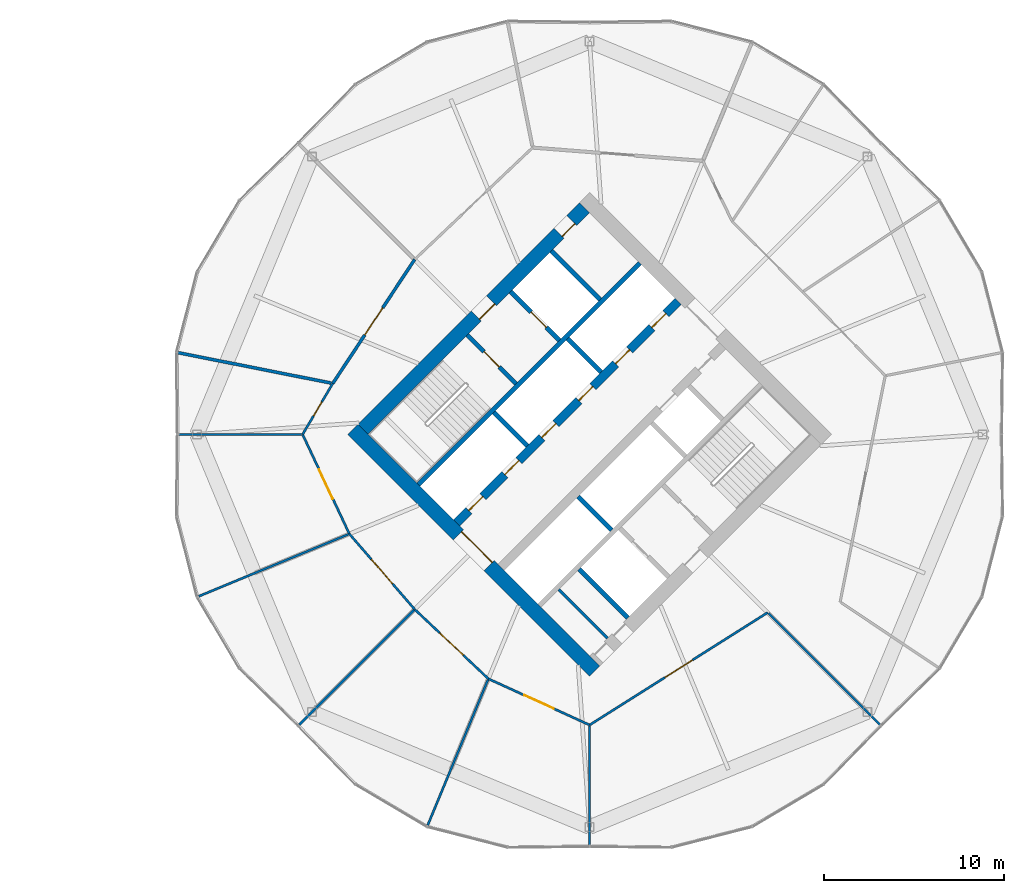
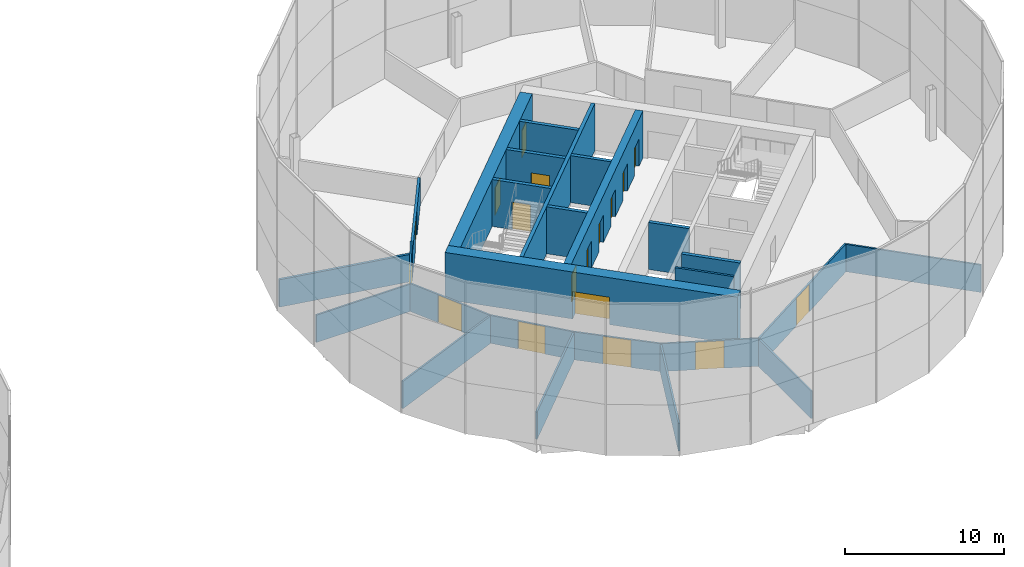
# One storey, part 22 of 25: 26 walls, 18 doors, 18 openings.
"""IFC4 building model written with IfcOpenShell, lengths in metres."""

from ifc_helpers import new_model, si_unit, direction, frame, frame_2d, origin, place, context, subcontext, project, spatial, rectangle, extrude, material, layer, layer_set, type_object, element, fill, save


model = new_model("IFC4")

# Units and contexts
model_context = context("Model", 3, precision=1e-05, world=origin(), true_north=direction((0.0, 1.0)))
body_context = subcontext(model_context, "Body", "Model", "MODEL_VIEW")
ifc_project = project(units=[si_unit("LENGTHUNIT", "METRE"), si_unit("AREAUNIT", "SQUARE_METRE"), si_unit("VOLUMEUNIT", "CUBIC_METRE"), si_unit("PLANEANGLEUNIT", "RADIAN"), si_unit("MASSUNIT", "GRAM", prefix="KILO")], contexts=[model_context])

# Site, building, storey
site_placement = place(None, origin())
site = spatial("IfcSite", under=ifc_project, at=site_placement, CompositionType="ELEMENT")
building_placement = place(site_placement, origin())
building = spatial("IfcBuilding", under=site, at=building_placement, Name="Ogive Gate Towers", CompositionType="ELEMENT")
storey_placement = place(building_placement, frame((0.0, 0.0, 44.10009765625)))
storey = spatial("IfcBuildingStorey", under=building, at=storey_placement, Name="L09", CompositionType="ELEMENT", Elevation=44.10009765625)

# Wall
ifc_material_1 = material(Name="Gypsum board acoustic partition")
ifc_layer_1 = layer(ifc_material_1, 0.175048828125)
ifc_layer_set_1 = layer_set([ifc_layer_1], Name="Acoustic partition 175")
wall_type_1 = type_object("IfcWallType", Name="Acoustic partition 175", PredefinedType="PARTITIONING", material=ifc_layer_set_1)
wall_1_placement = place(storey_placement, frame((13.146728515625, 4.5380859375, 0.0), z_axis=(0.0, 0.0, 1.0), x_axis=(0.980848307459, -0.194773195677, 0.0)))
element("IfcWall", 1, at=wall_1_placement, inside=storey, type_object=wall_type_1, Name="Partition T2-L09-007", PredefinedType="PARTITIONING", context=body_context, shape_type="SweptSolid", body=[
    extrude(rectangle(XDim=8.67138671875, YDim=0.175048828125, at=frame_2d((4.335693359375, 0.0))), origin(), (0.0, 0.0, 1.0), 2.099853515625),
])

# Wall, opening, door
wall_2_placement = place(storey_placement, frame((26.284423828125, 9.715576171875, 0.0), z_axis=(0.0, 0.0, 1.0), x_axis=(-0.551136963792, -0.834414793219, 0.0)))
wall_2 = element("IfcWall", 2, at=wall_2_placement, inside=storey, type_object=wall_type_1, Name="Partition T2-L09-021", PredefinedType="PARTITIONING", context=body_context, shape_type="SweptSolid", body=[
    extrude(rectangle(XDim=8.24951171875, YDim=0.175048828125, at=frame_2d((4.124755859375, 0.0))), origin(), (0.0, 0.0, 1.0), 2.139892578125),
])
opening_1_placement = place(wall_2_placement, frame((3.22509765625, 0.0, 0.0)))
opening_1 = element("IfcOpeningElement", 3, at=opening_1_placement, cuts=wall_2, Name="Opening T2-L09-D07", PredefinedType="OPENING", context=body_context, shape_type="SweptSolid", body=[
    extrude(rectangle(XDim=1.800048828125, YDim=2.10009765625, at=frame_2d((0.89990234375, 1.050048828125))), frame((0.0, 0.09765625, 0.0), z_axis=(0.0, -1.0, 0.0), x_axis=(1.0, 0.0, 0.0)), (0.0, 0.0, 1.0), 0.195068359375),
])
ifc_material_2 = material(Name="Timber door", Category="wood")
door_type_1 = type_object("IfcDoorType", Name="Door pair 1800", OperationType="NOTDEFINED", PredefinedType="DOOR", material=ifc_material_2)
door_1_placement = place(opening_1_placement, origin())
door_1 = element("IfcDoor", 4, at=door_1_placement, inside=storey, type_object=door_type_1, Name="Door T2-L09-D07", OperationType="DOUBLE_DOOR_DOUBLE_SWING", OverallHeight=2.10009765625, OverallWidth=1.800048828125, PredefinedType="DOOR", context=body_context, shape_type="SweptSolid", body=[
    extrude(rectangle(XDim=1.800048828125, YDim=2.10009765625, at=frame_2d((0.89990234375, 1.050048828125))), frame((0.0, 0.02490234375, 0.0), z_axis=(0.0, -1.0, 0.0), x_axis=(1.0, 0.0, 0.0)), (0.0, 0.0, 1.0), 0.050048828125),
])
fill(opening_1, door_1)

# Wall, openings, doors
ifc_material_3 = material(Name="Concrete C60/75", Category="concrete")
ifc_layer_2 = layer(ifc_material_3, 0.800048828125)
ifc_layer_set_2 = layer_set([ifc_layer_2], Name="Core wall 800 mm")
wall_type_2 = type_object("IfcWallType", Name="Core wall 800 mm", PredefinedType="SHEAR", material=ifc_layer_set_2)
wall_3_placement = place(storey_placement, frame((23.41357421875, 0.28271484375, 0.0), z_axis=(0.0, 0.0, 1.0), x_axis=(0.707106781187, 0.707106781187, 0.0)))
wall_3 = element("IfcWall", 5, at=wall_3_placement, inside=storey, type_object=wall_type_2, Name="T2 L09 Core wall 800 mm", PredefinedType="SHEAR", context=body_context, shape_type="SweptSolid", body=[
    extrude(rectangle(XDim=17.400146484375, YDim=0.800048828125, at=frame_2d((8.7001953125, 0.0))), origin(), (0.0, 0.0, 1.0), 3.599853515625),
])
opening_2_placement = place(wall_3_placement, frame((8.89990234375, 0.0, 0.0)))
opening_2 = element("IfcOpeningElement", 6, at=opening_2_placement, cuts=wall_3, Name="Opening KD-T2-L09-15", PredefinedType="OPENING", context=body_context, shape_type="SweptSolid", body=[
    extrude(rectangle(XDim=1.199951171875, YDim=2.10009765625, at=frame_2d((0.60009765625, 1.050048828125))), frame((0.0, 0.41015625, 0.0), z_axis=(0.0, -1.0, 0.0), x_axis=(1.0, 0.0, 0.0)), (0.0, 0.0, 1.0), 0.820068359375),
])
opening_3_placement = place(wall_3_placement, frame((15.39990234375, 0.0, 0.0)))
opening_3 = element("IfcOpeningElement", 7, at=opening_3_placement, cuts=wall_3, Name="Opening KD-T2-L09-17", PredefinedType="OPENING", context=body_context, shape_type="SweptSolid", body=[
    extrude(rectangle(XDim=1.0, YDim=2.10009765625, at=frame_2d((0.5, 1.050048828125))), frame((0.0, 0.41015625, 0.0), z_axis=(0.0, -1.0, 0.0), x_axis=(1.0, 0.0, 0.0)), (0.0, 0.0, 1.0), 0.820068359375),
])
door_type_2 = type_object("IfcDoorType", Name="Accessible WC door 1000 x 2100", OperationType="NOTDEFINED", PredefinedType="DOOR", material=ifc_material_2)
door_2_placement = place(opening_3_placement, origin())
door_2 = element("IfcDoor", 8, at=door_2_placement, inside=storey, type_object=door_type_2, Name="T2 L09 Core door", OperationType="SINGLE_SWING_RIGHT", OverallHeight=2.10009765625, OverallWidth=1.0, PredefinedType="DOOR", context=body_context, shape_type="SweptSolid", body=[
    extrude(rectangle(XDim=1.0, YDim=2.10009765625, at=frame_2d((0.5, 1.050048828125))), frame((0.0, -0.22509765625, 0.0), z_axis=(0.0, -1.0, 0.0), x_axis=(1.0, 0.0, 0.0)), (0.0, 0.0, 1.0), 0.050048828125),
])
fill(opening_3, door_2)
ifc_material_4 = material(Name="Steel fire door", Category="steel")
door_type_3 = type_object("IfcDoorType", Name="Core door FD60S 1200 x 2100", OperationType="NOTDEFINED", PredefinedType="DOOR", material=ifc_material_4)
door_3_placement = place(opening_2_placement, origin())
door_3 = element("IfcDoor", 9, at=door_3_placement, inside=storey, type_object=door_type_3, Name="T2 L09 Fire-fighting lobby door", OperationType="SINGLE_SWING_RIGHT", OverallHeight=2.10009765625, OverallWidth=1.199951171875, PredefinedType="DOOR", context=body_context, shape_type="SweptSolid", body=[
    extrude(rectangle(XDim=1.199951171875, YDim=2.10009765625, at=frame_2d((0.60009765625, 1.050048828125))), frame((0.0, -0.22509765625, 0.0), z_axis=(0.0, -1.0, 0.0), x_axis=(1.0, 0.0, 0.0)), (0.0, 0.0, 1.0), 0.050048828125),
])
fill(opening_2, door_3)

# Wall, opening, door
wall_4_placement = place(storey_placement, frame((36.28271484375, -13.152099609375, 0.0), z_axis=(0.0, 0.0, 1.0), x_axis=(-0.707106781187, 0.707106781187, 0.0)))
wall_4 = element("IfcWall", 10, at=wall_4_placement, inside=storey, type_object=wall_type_2, Name="T2 L09 Core wall 800 mm", PredefinedType="SHEAR", context=body_context, shape_type="SweptSolid", body=[
    extrude(rectangle(XDim=18.999755859375, YDim=0.800048828125, at=frame_2d((9.5, 0.0))), origin(), (0.0, 0.0, 1.0), 3.599853515625),
])
opening_4_placement = place(wall_4_placement, frame((8.300048828125, 0.0, 0.0)))
opening_4 = element("IfcOpeningElement", 11, at=opening_4_placement, cuts=wall_4, Name="Opening KD-T2-L09-01", PredefinedType="OPENING", context=body_context, shape_type="SweptSolid", body=[
    extrude(rectangle(XDim=2.39990234375, YDim=2.10009765625, at=frame_2d((1.199951171875, 1.050048828125))), frame((0.0, 0.41015625, 0.0), z_axis=(0.0, -1.0, 0.0), x_axis=(1.0, 0.0, 0.0)), (0.0, 0.0, 1.0), 0.820068359375),
])
door_type_4 = type_object("IfcDoorType", Name="Core double door FD60S 2400 x 2100", OperationType="DOUBLE_DOOR_SINGLE_SWING", PredefinedType="DOOR", material=ifc_material_4)
door_4_placement = place(opening_4_placement, origin())
door_4 = element("IfcDoor", 12, at=door_4_placement, inside=storey, type_object=door_type_4, Name="T2 L09 Core door double", OperationType="DOUBLE_DOOR_SINGLE_SWING", OverallHeight=2.10009765625, OverallWidth=2.39990234375, PredefinedType="DOOR", context=body_context, shape_type="SweptSolid", body=[
    extrude(rectangle(XDim=2.39990234375, YDim=2.10009765625, at=frame_2d((1.199951171875, 1.050048828125))), frame((0.0, -0.22509765625, 0.0), z_axis=(0.0, -1.0, 0.0), x_axis=(1.0, 0.0, 0.0)), (0.0, 0.0, 1.0), 0.050048828125),
])
fill(opening_4, door_4)

# Walls
ifc_material_5 = material(Name="Gypsum board partition")
ifc_layer_3 = layer(ifc_material_5, 0.125)
ifc_layer_set_3 = layer_set([ifc_layer_3], Name="Partition 125")
wall_type_3 = type_object("IfcWallType", Name="Partition 125", PredefinedType="PARTITIONING", material=ifc_layer_set_3)
wall_5_placement = place(storey_placement, frame((13.200927734375, 0.0, 0.0), z_axis=(0.0, 0.0, 1.0), x_axis=(1.0, 0.0, 0.0)))
element("IfcWall", 13, at=wall_5_placement, inside=storey, type_object=wall_type_3, Name="Partition T2-L09-008", PredefinedType="PARTITIONING", context=body_context, shape_type="SweptSolid", body=[
    extrude(rectangle(XDim=6.796630859375, YDim=0.125, at=frame_2d((3.3984375, 0.0))), origin(), (0.0, 0.0, 1.0), 2.099853515625),
])
for number, where, z_axis, x_axis, name in (
    (14, (14.288818359375, -8.992919921875, 0.0), (0.0, 0.0, 1.0), (0.923888174314, 0.382662568542, 0.0), "Partition T2-L09-009"),
    (15, (19.878662109375, -16.121337890625, 0.0), (0.0, 0.0, 1.0), (0.707106781187, 0.707106781187, 0.0), "Partition T2-L09-010"),
):
    element("IfcWall", number, at=place(storey_placement, frame(where, z_axis=z_axis, x_axis=x_axis)), inside=storey, type_object=wall_type_3, Name=name, PredefinedType="PARTITIONING", context=body_context, shape_type="SweptSolid", body=[
        extrude(rectangle(XDim=8.99658203125, YDim=0.125, at=frame_2d((4.498291015625, 0.0))), origin(), (0.0, 0.0, 1.0), 2.099853515625),
    ])
wall_6_placement = place(storey_placement, frame((27.007080078125, -21.711181640625, 0.0), z_axis=(0.0, 0.0, 1.0), x_axis=(0.382668172196, 0.923885853333, 0.0)))
element("IfcWall", 16, at=wall_6_placement, inside=storey, type_object=wall_type_3, Name="Partition T2-L09-011", PredefinedType="PARTITIONING", context=body_context, shape_type="SweptSolid", body=[
    extrude(rectangle(XDim=8.746337890625, YDim=0.125, at=frame_2d((4.373046875, 0.0))), origin(), (0.0, 0.0, 1.0), 2.099853515625),
])
wall_7_placement = place(storey_placement, frame((36.0, -22.799072265625, 0.0), z_axis=(0.0, 0.0, 1.0), x_axis=(0.0, 1.0, 0.0)))
element("IfcWall", 17, at=wall_7_placement, inside=storey, type_object=wall_type_3, Name="Partition T2-L09-012", PredefinedType="PARTITIONING", context=body_context, shape_type="SweptSolid", body=[
    extrude(rectangle(XDim=6.5966796875, YDim=0.125, at=frame_2d((3.29833984375, 0.0))), origin(), (0.0, 0.0, 1.0), 2.099853515625),
])
wall_8_placement = place(storey_placement, frame((52.121337890625, -16.121337890625, 0.0), z_axis=(0.0, 0.0, 1.0), x_axis=(-0.707106781187, 0.707106781187, 0.0)))
element("IfcWall", 18, at=wall_8_placement, inside=storey, type_object=wall_type_3, Name="Partition T2-L09-013", PredefinedType="PARTITIONING", context=body_context, shape_type="SweptSolid", body=[
    extrude(rectangle(XDim=8.74658203125, YDim=0.125, at=frame_2d((4.373291015625, 0.0))), origin(), (0.0, 0.0, 1.0), 2.099853515625),
])

# Wall, opening, door
wall_9_placement = place(storey_placement, frame((21.73779296875, 2.83203125, 0.0), z_axis=(0.0, 0.0, 1.0), x_axis=(-0.509688534726, -0.860358993426, 0.0)))
wall_9 = element("IfcWall", 19, at=wall_9_placement, inside=storey, type_object=wall_type_3, Name="Partition T2-L09-022", PredefinedType="PARTITIONING", context=body_context, shape_type="SweptSolid", body=[
    extrude(rectangle(XDim=3.291748046875, YDim=0.125, at=frame_2d((1.64599609375, 0.0))), origin(), (0.0, 0.0, 1.0), 3.0498046875),
])
opening_5_placement = place(wall_9_placement, frame((1.196044921875, 0.0, 0.0)))
opening_5 = element("IfcOpeningElement", 20, at=opening_5_placement, cuts=wall_9, Name="Opening T2-L09-D08", PredefinedType="OPENING", context=body_context, shape_type="SweptSolid", body=[
    extrude(rectangle(XDim=0.89990234375, YDim=2.10009765625, at=frame_2d((0.449951171875, 1.050048828125))), frame((0.0, 0.072509765625, 0.0), z_axis=(0.0, -1.0, 0.0), x_axis=(1.0, 0.0, 0.0)), (0.0, 0.0, 1.0), 0.14501953125),
])
door_type_5 = type_object("IfcDoorType", Name="Door 900", OperationType="NOTDEFINED", PredefinedType="DOOR", material=ifc_material_2)
door_5_placement = place(opening_5_placement, origin())
door_5 = element("IfcDoor", 21, at=door_5_placement, inside=storey, type_object=door_type_5, Name="Door T2-L09-D08", OperationType="SINGLE_SWING_RIGHT", OverallHeight=2.10009765625, OverallWidth=0.89990234375, PredefinedType="DOOR", context=body_context, shape_type="SweptSolid", body=[
    extrude(rectangle(XDim=0.89990234375, YDim=2.10009765625, at=frame_2d((0.449951171875, 1.050048828125))), frame((0.0, 0.02490234375, 0.0), z_axis=(0.0, -1.0, 0.0), x_axis=(1.0, 0.0, 0.0)), (0.0, 0.0, 1.0), 0.050048828125),
])
fill(opening_5, door_5)

wall_10_placement = place(storey_placement, frame((20.06005859375, 0.0, 0.0), z_axis=(0.0, 0.0, 1.0), x_axis=(0.425461994667, -0.904976293111, 0.0)))
wall_10 = element("IfcWall", 22, at=wall_10_placement, inside=storey, type_object=wall_type_3, Name="Partition T2-L09-023", PredefinedType="PARTITIONING", context=body_context, shape_type="SweptSolid", body=[
    extrude(rectangle(XDim=6.106689453125, YDim=0.125, at=frame_2d((3.05322265625, 0.0))), origin(), (0.0, 0.0, 1.0), 2.139892578125),
])
opening_6_placement = place(wall_10_placement, frame((2.153076171875, 0.0, 0.0)))
opening_6 = element("IfcOpeningElement", 23, at=opening_6_placement, cuts=wall_10, Name="Opening T2-L09-D09", PredefinedType="OPENING", context=body_context, shape_type="SweptSolid", body=[
    extrude(rectangle(XDim=1.800048828125, YDim=2.10009765625, at=frame_2d((0.89990234375, 1.050048828125))), frame((0.0, 0.072509765625, 0.0), z_axis=(0.0, -1.0, 0.0), x_axis=(1.0, 0.0, 0.0)), (0.0, 0.0, 1.0), 0.14501953125),
])
door_6_placement = place(opening_6_placement, origin())
door_6 = element("IfcDoor", 24, at=door_6_placement, inside=storey, type_object=door_type_1, Name="Door T2-L09-D09", OperationType="DOUBLE_DOOR_DOUBLE_SWING", OverallHeight=2.10009765625, OverallWidth=1.800048828125, PredefinedType="DOOR", context=body_context, shape_type="SweptSolid", body=[
    extrude(rectangle(XDim=1.800048828125, YDim=2.10009765625, at=frame_2d((0.89990234375, 1.050048828125))), frame((0.0, 0.02490234375, 0.0), z_axis=(0.0, -1.0, 0.0), x_axis=(1.0, 0.0, 0.0)), (0.0, 0.0, 1.0), 0.050048828125),
])
fill(opening_6, door_6)

wall_11_placement = place(storey_placement, frame((22.658203125, -5.5263671875, 0.0), z_axis=(0.0, 0.0, 1.0), x_axis=(0.654474127671, -0.756084397544, 0.0)))
wall_11 = element("IfcWall", 25, at=wall_11_placement, inside=storey, type_object=wall_type_3, Name="Partition T2-L09-024", PredefinedType="PARTITIONING", context=body_context, shape_type="SweptSolid", body=[
    extrude(rectangle(XDim=5.540771484375, YDim=0.125, at=frame_2d((2.7705078125, 0.0))), origin(), (0.0, 0.0, 1.0), 2.139892578125),
])
opening_7_placement = place(wall_11_placement, frame((1.8701171875, 0.0, 0.0)))
opening_7 = element("IfcOpeningElement", 26, at=opening_7_placement, cuts=wall_11, Name="Opening T2-L09-D10", PredefinedType="OPENING", context=body_context, shape_type="SweptSolid", body=[
    extrude(rectangle(XDim=1.800048828125, YDim=2.10009765625, at=frame_2d((0.89990234375, 1.050048828125))), frame((0.0, 0.072509765625, 0.0), z_axis=(0.0, -1.0, 0.0), x_axis=(1.0, 0.0, 0.0)), (0.0, 0.0, 1.0), 0.14501953125),
])
door_7_placement = place(opening_7_placement, origin())
door_7 = element("IfcDoor", 27, at=door_7_placement, inside=storey, type_object=door_type_1, Name="Door T2-L09-D10", OperationType="DOUBLE_DOOR_DOUBLE_SWING", OverallHeight=2.10009765625, OverallWidth=1.800048828125, PredefinedType="DOOR", context=body_context, shape_type="SweptSolid", body=[
    extrude(rectangle(XDim=1.800048828125, YDim=2.10009765625, at=frame_2d((0.89990234375, 1.050048828125))), frame((0.0, 0.02490234375, 0.0), z_axis=(0.0, -1.0, 0.0), x_axis=(1.0, 0.0, 0.0)), (0.0, 0.0, 1.0), 0.050048828125),
])
fill(opening_7, door_7)

wall_12_placement = place(storey_placement, frame((26.284423828125, -9.715576171875, 0.0), z_axis=(0.0, 0.0, 1.0), x_axis=(0.727803553967, -0.685785671207, 0.0)))
wall_12 = element("IfcWall", 28, at=wall_12_placement, inside=storey, type_object=wall_type_3, Name="Partition T2-L09-025", PredefinedType="PARTITIONING", context=body_context, shape_type="SweptSolid", body=[
    extrude(rectangle(XDim=5.62451171875, YDim=0.125, at=frame_2d((2.812255859375, 0.0))), origin(), (0.0, 0.0, 1.0), 2.139892578125),
])
opening_8_placement = place(wall_12_placement, frame((1.912109375, 0.0, 0.0)))
opening_8 = element("IfcOpeningElement", 29, at=opening_8_placement, cuts=wall_12, Name="Opening T2-L09-D11", PredefinedType="OPENING", context=body_context, shape_type="SweptSolid", body=[
    extrude(rectangle(XDim=1.800048828125, YDim=2.10009765625, at=frame_2d((0.89990234375, 1.050048828125))), frame((0.0, 0.072509765625, 0.0), z_axis=(0.0, -1.0, 0.0), x_axis=(1.0, 0.0, 0.0)), (0.0, 0.0, 1.0), 0.14501953125),
])
door_8_placement = place(opening_8_placement, origin())
door_8 = element("IfcDoor", 30, at=door_8_placement, inside=storey, type_object=door_type_1, Name="Door T2-L09-D11", OperationType="DOUBLE_DOOR_DOUBLE_SWING", OverallHeight=2.10009765625, OverallWidth=1.800048828125, PredefinedType="DOOR", context=body_context, shape_type="SweptSolid", body=[
    extrude(rectangle(XDim=1.800048828125, YDim=2.10009765625, at=frame_2d((0.89990234375, 1.050048828125))), frame((0.0, 0.02490234375, 0.0), z_axis=(0.0, -1.0, 0.0), x_axis=(1.0, 0.0, 0.0)), (0.0, 0.0, 1.0), 0.050048828125),
])
fill(opening_8, door_8)

wall_13_placement = place(storey_placement, frame((30.3779296875, -13.57275390625, 0.0), z_axis=(0.0, 0.0, 1.0), x_axis=(0.909654910029, -0.415364833201, 0.0)))
wall_13 = element("IfcWall", 31, at=wall_13_placement, inside=storey, type_object=wall_type_3, Name="Partition T2-L09-026", PredefinedType="PARTITIONING", context=body_context, shape_type="SweptSolid", body=[
    extrude(rectangle(XDim=6.180419921875, YDim=0.125, at=frame_2d((3.09033203125, 0.0))), origin(), (0.0, 0.0, 1.0), 2.139892578125),
])
opening_9_placement = place(wall_13_placement, frame((2.18994140625, 0.0, 0.0)))
opening_9 = element("IfcOpeningElement", 32, at=opening_9_placement, cuts=wall_13, Name="Opening T2-L09-D12", PredefinedType="OPENING", context=body_context, shape_type="SweptSolid", body=[
    extrude(rectangle(XDim=1.800048828125, YDim=2.10009765625, at=frame_2d((0.89990234375, 1.050048828125))), frame((0.0, 0.072509765625, 0.0), z_axis=(0.0, -1.0, 0.0), x_axis=(1.0, 0.0, 0.0)), (0.0, 0.0, 1.0), 0.14501953125),
])
door_9_placement = place(opening_9_placement, origin())
door_9 = element("IfcDoor", 33, at=door_9_placement, inside=storey, type_object=door_type_1, Name="Door T2-L09-D12", OperationType="DOUBLE_DOOR_DOUBLE_SWING", OverallHeight=2.10009765625, OverallWidth=1.800048828125, PredefinedType="DOOR", context=body_context, shape_type="SweptSolid", body=[
    extrude(rectangle(XDim=1.800048828125, YDim=2.10009765625, at=frame_2d((0.89990234375, 1.050048828125))), frame((0.0, 0.02490234375, 0.0), z_axis=(0.0, -1.0, 0.0), x_axis=(1.0, 0.0, 0.0)), (0.0, 0.0, 1.0), 0.050048828125),
])
fill(opening_9, door_9)

wall_14_placement = place(storey_placement, frame((36.0, -16.139892578125, 0.0), z_axis=(0.0, 0.0, 1.0), x_axis=(0.845497828076, 0.533978859805, 0.0)))
wall_14 = element("IfcWall", 34, at=wall_14_placement, inside=storey, type_object=wall_type_3, Name="Partition T2-L09-027", PredefinedType="PARTITIONING", context=body_context, shape_type="SweptSolid", body=[
    extrude(rectangle(XDim=11.699951171875, YDim=0.125, at=frame_2d((5.85009765625, 0.0))), origin(), (0.0, 0.0, 1.0), 2.139892578125),
])
opening_10_placement = place(wall_14_placement, frame((4.949951171875, 0.0, 0.0)))
opening_10 = element("IfcOpeningElement", 35, at=opening_10_placement, cuts=wall_14, Name="Opening T2-L09-D13", PredefinedType="OPENING", context=body_context, shape_type="SweptSolid", body=[
    extrude(rectangle(XDim=1.800048828125, YDim=2.10009765625, at=frame_2d((0.89990234375, 1.050048828125))), frame((0.0, 0.072509765625, 0.0), z_axis=(0.0, -1.0, 0.0), x_axis=(1.0, 0.0, 0.0)), (0.0, 0.0, 1.0), 0.14501953125),
])
door_10_placement = place(opening_10_placement, origin())
door_10 = element("IfcDoor", 36, at=door_10_placement, inside=storey, type_object=door_type_1, Name="Door T2-L09-D13", OperationType="DOUBLE_DOOR_DOUBLE_SWING", OverallHeight=2.10009765625, OverallWidth=1.800048828125, PredefinedType="DOOR", context=body_context, shape_type="SweptSolid", body=[
    extrude(rectangle(XDim=1.800048828125, YDim=2.10009765625, at=frame_2d((0.89990234375, 1.050048828125))), frame((0.0, 0.02490234375, 0.0), z_axis=(0.0, -1.0, 0.0), x_axis=(1.0, 0.0, 0.0)), (0.0, 0.0, 1.0), 0.050048828125),
])
fill(opening_10, door_10)

# Walls
ifc_layer_4 = layer(ifc_material_5, 0.14990234375)
ifc_layer_set_4 = layer_set([ifc_layer_4], Name="Room partition 150 mm")
wall_type_4 = type_object("IfcWallType", Name="Room partition 150 mm", PredefinedType="PARTITIONING", material=ifc_layer_set_4)
wall_15_placement = place(storey_placement, frame((36.989990234375, -11.313720703125, 0.0), z_axis=(0.0, 0.0, 1.0), x_axis=(-0.707074866995, 0.707138693938, 0.0)))
element("IfcWall", 37, at=wall_15_placement, inside=storey, type_object=wall_type_4, Name="T2 L09 Room partition 150 mm", PredefinedType="PARTITIONING", context=body_context, shape_type="SweptSolid", body=[
    extrude(rectangle(XDim=3.824951171875, YDim=0.14990234375, at=frame_2d((1.91259765625, 0.0))), origin(), (0.0, 0.0, 1.0), 3.599853515625),
])
ifc_layer_5 = layer(ifc_material_3, 0.25)
ifc_layer_set_5 = layer_set([ifc_layer_5], Name="Shaft wall 250 mm")
wall_type_5 = type_object("IfcWallType", Name="Shaft wall 250 mm", PredefinedType="SHEAR", material=ifc_layer_set_5)
wall_16_placement = place(storey_placement, frame((26.489501953125, -2.793212890625, 0.0), z_axis=(0.0, 0.0, 1.0), x_axis=(0.707106781187, 0.707106781187, 0.0)))
element("IfcWall", 38, at=wall_16_placement, inside=storey, type_object=wall_type_5, Name="T2 L09 Shaft wall 250 mm", PredefinedType="SHEAR", context=body_context, shape_type="SweptSolid", body=[
    extrude(rectangle(XDim=17.400146484375, YDim=0.25, at=frame_2d((8.7001953125, 0.0))), origin(), (0.0, 0.0, 1.0), 3.599853515625),
])
wall_17_placement = place(storey_placement, frame((38.121337890625, -10.182373046875, 0.0), z_axis=(0.0, 0.0, 1.0), x_axis=(-0.707138693938, 0.707074866995, 0.0)))
element("IfcWall", 39, at=wall_17_placement, inside=storey, type_object=wall_type_5, Name="T2 L09 Shaft wall 250 mm", PredefinedType="SHEAR", context=body_context, shape_type="SweptSolid", body=[
    extrude(rectangle(XDim=3.824951171875, YDim=0.25, at=frame_2d((1.91259765625, 0.0))), origin(), (0.0, 0.0, 1.0), 3.599853515625),
])
for number, where, z_axis, x_axis, name in (
    (40, (37.2197265625, -5.321044921875, 0.0), (0.0, 0.0, 1.0), (-0.707106781187, 0.707106781187, 0.0), "T2 L09 Shaft wall 250 mm"),
    (41, (32.53515625, -0.636474609375, 0.0), (0.0, 0.0, 1.0), (-0.707106781187, 0.707106781187, 0.0), "T2 L09 Shaft wall 250 mm"),
):
    element("IfcWall", number, at=place(storey_placement, frame(where, z_axis=z_axis, x_axis=x_axis)), inside=storey, type_object=wall_type_5, Name=name, PredefinedType="SHEAR", context=body_context, shape_type="SweptSolid", body=[
        extrude(rectangle(XDim=2.625, YDim=0.25, at=frame_2d((1.3125, 0.0))), origin(), (0.0, 0.0, 1.0), 3.599853515625),
    ])

# Wall, opening, door
wall_18_placement = place(storey_placement, frame((31.91650390625, 2.810791015625, 0.0), z_axis=(0.0, 0.0, 1.0), x_axis=(-0.707106781187, 0.707106781187, 0.0)))
wall_18 = element("IfcWall", 42, at=wall_18_placement, inside=storey, type_object=wall_type_5, Name="T2 L09 Shaft wall 250 mm", PredefinedType="SHEAR", context=body_context, shape_type="SweptSolid", body=[
    extrude(rectangle(XDim=3.824951171875, YDim=0.25, at=frame_2d((1.91259765625, 0.0))), origin(), (0.0, 0.0, 1.0), 3.599853515625),
])
opening_11_placement = place(wall_18_placement, frame((1.324951171875, 0.0, 0.0)))
opening_11 = element("IfcOpeningElement", 43, at=opening_11_placement, cuts=wall_18, Name="Opening KD-T2-L09-13", PredefinedType="OPENING", context=body_context, shape_type="SweptSolid", body=[
    extrude(rectangle(XDim=1.199951171875, YDim=2.10009765625, at=frame_2d((0.60009765625, 1.050048828125))), frame((0.0, 0.135009765625, 0.0), z_axis=(0.0, -1.0, 0.0), x_axis=(1.0, 0.0, 0.0)), (0.0, 0.0, 1.0), 0.27001953125),
])
door_11_placement = place(opening_11_placement, origin())
door_11 = element("IfcDoor", 44, at=door_11_placement, inside=storey, type_object=door_type_3, Name="T2 L09 Stair door", OperationType="SINGLE_SWING_RIGHT", OverallHeight=2.10009765625, OverallWidth=1.199951171875, PredefinedType="DOOR", context=body_context, shape_type="SweptSolid", body=[
    extrude(rectangle(XDim=1.199951171875, YDim=2.10009765625, at=frame_2d((0.60009765625, 1.050048828125))), frame((0.0, 0.02490234375, 0.0), z_axis=(0.0, -1.0, 0.0), x_axis=(1.0, 0.0, 0.0)), (0.0, 0.0, 1.0), 0.050048828125),
])
fill(opening_11, door_11)

wall_19_placement = place(storey_placement, frame((34.320556640625, 5.21484375, 0.0), z_axis=(0.0, 0.0, 1.0), x_axis=(-0.707074866995, 0.707138693938, 0.0)))
wall_19 = element("IfcWall", 45, at=wall_19_placement, inside=storey, type_object=wall_type_5, Name="T2 L09 Shaft wall 250 mm", PredefinedType="SHEAR", context=body_context, shape_type="SweptSolid", body=[
    extrude(rectangle(XDim=3.824951171875, YDim=0.25, at=frame_2d((1.91259765625, 0.0))), origin(), (0.0, 0.0, 1.0), 3.599853515625),
])
opening_12_placement = place(wall_19_placement, frame((1.02490234375, 0.0, 0.0)))
opening_12 = element("IfcOpeningElement", 46, at=opening_12_placement, cuts=wall_19, Name="Opening LD-T2-L09-10", PredefinedType="OPENING", context=body_context, shape_type="SweptSolid", body=[
    extrude(rectangle(XDim=1.199951171875, YDim=2.10009765625, at=frame_2d((0.60009765625, 1.050048828125))), frame((0.0, 0.135009765625, 0.0), z_axis=(0.0, -1.0, 0.0), x_axis=(1.0, 0.0, 0.0)), (0.0, 0.0, 1.0), 0.27001953125),
])
ifc_material_6 = material(Name="Stainless steel landing door", Category="steel")
door_type_6 = type_object("IfcDoorType", Name="Landing door 1200 x 2100", OperationType="SLIDING_TO_LEFT", PredefinedType="DOOR", material=ifc_material_6)
door_12_placement = place(opening_12_placement, origin())
door_12 = element("IfcDoor", 47, at=door_12_placement, inside=storey, type_object=door_type_6, Name="T2 L09 Lift landing door FF1", OperationType="SLIDING_TO_LEFT", OverallHeight=2.10009765625, OverallWidth=1.199951171875, PredefinedType="DOOR", context=body_context, shape_type="SweptSolid", body=[
    extrude(rectangle(XDim=1.199951171875, YDim=2.10009765625, at=frame_2d((0.60009765625, 1.050048828125))), frame((0.0, 0.02490234375, 0.0), z_axis=(0.0, -1.0, 0.0), x_axis=(1.0, 0.0, 0.0)), (0.0, 0.0, 1.0), 0.050048828125),
])
fill(opening_12, door_12)

# Walls
wall_20_placement = place(storey_placement, frame((36.636474609375, 3.46484375, 0.0), z_axis=(0.0, 0.0, 1.0), x_axis=(-0.707106781187, 0.707106781187, 0.0)))
element("IfcWall", 48, at=wall_20_placement, inside=storey, type_object=wall_type_5, Name="T2 L09 Shaft wall 250 mm", PredefinedType="SHEAR", context=body_context, shape_type="SweptSolid", body=[
    extrude(rectangle(XDim=2.625, YDim=0.25, at=frame_2d((1.3125, 0.0))), origin(), (0.0, 0.0, 1.0), 3.599853515625),
])
wall_21_placement = place(storey_placement, frame((36.58349609375, 7.477783203125, 0.0), z_axis=(0.0, 0.0, 1.0), x_axis=(-0.707138693938, 0.707074866995, 0.0)))
element("IfcWall", 49, at=wall_21_placement, inside=storey, type_object=wall_type_5, Name="T2 L09 Shaft wall 250 mm", PredefinedType="SHEAR", context=body_context, shape_type="SweptSolid", body=[
    extrude(rectangle(XDim=3.824951171875, YDim=0.25, at=frame_2d((1.91259765625, 0.0))), origin(), (0.0, 0.0, 1.0), 3.599853515625),
])

# Wall, openings, doors
ifc_layer_6 = layer(ifc_material_3, 0.5)
ifc_layer_set_6 = layer_set([ifc_layer_6], Name="Spine wall 500 mm")
wall_type_6 = type_object("IfcWallType", Name="Spine wall 500 mm", PredefinedType="SHEAR", material=ifc_layer_set_6)
wall_22_placement = place(storey_placement, frame((28.610595703125, -4.914306640625, 0.0), z_axis=(0.0, 0.0, 1.0), x_axis=(0.707106781187, 0.707106781187, 0.0)))
wall_22 = element("IfcWall", 50, at=wall_22_placement, inside=storey, type_object=wall_type_6, Name="T2 L09 Spine wall 500 mm", PredefinedType="SHEAR", context=body_context, shape_type="SweptSolid", body=[
    extrude(rectangle(XDim=17.400146484375, YDim=0.5, at=frame_2d((8.7001953125, 0.0))), origin(), (0.0, 0.0, 1.0), 3.599853515625),
])
opening_13_placement = place(wall_22_placement, frame((0.96240234375, 0.0, 0.0)))
opening_13 = element("IfcOpeningElement", 51, at=opening_13_placement, cuts=wall_22, Name="Opening LD-T2-L09-03", PredefinedType="OPENING", context=body_context, shape_type="SweptSolid", body=[
    extrude(rectangle(XDim=1.10009765625, YDim=2.10009765625, at=frame_2d((0.550048828125, 1.050048828125))), frame((0.0, 0.260009765625, 0.0), z_axis=(0.0, -1.0, 0.0), x_axis=(1.0, 0.0, 0.0)), (0.0, 0.0, 1.0), 0.52001953125),
])
opening_14_placement = place(wall_22_placement, frame((3.800048828125, 0.0, 0.0)))
opening_14 = element("IfcOpeningElement", 52, at=opening_14_placement, cuts=wall_22, Name="Opening LD-T2-L09-04", PredefinedType="OPENING", context=body_context, shape_type="SweptSolid", body=[
    extrude(rectangle(XDim=1.10009765625, YDim=2.10009765625, at=frame_2d((0.550048828125, 1.050048828125))), frame((0.0, 0.260009765625, 0.0), z_axis=(0.0, -1.0, 0.0), x_axis=(1.0, 0.0, 0.0)), (0.0, 0.0, 1.0), 0.52001953125),
])
opening_15_placement = place(wall_22_placement, frame((6.699951171875, 0.0, 0.0)))
opening_15 = element("IfcOpeningElement", 53, at=opening_15_placement, cuts=wall_22, Name="Opening LD-T2-L09-05", PredefinedType="OPENING", context=body_context, shape_type="SweptSolid", body=[
    extrude(rectangle(XDim=1.10009765625, YDim=2.10009765625, at=frame_2d((0.550048828125, 1.050048828125))), frame((0.0, 0.260009765625, 0.0), z_axis=(0.0, -1.0, 0.0), x_axis=(1.0, 0.0, 0.0)), (0.0, 0.0, 1.0), 0.52001953125),
])
opening_16_placement = place(wall_22_placement, frame((9.60009765625, 0.0, 0.0)))
opening_16 = element("IfcOpeningElement", 54, at=opening_16_placement, cuts=wall_22, Name="Opening LD-T2-L09-06", PredefinedType="OPENING", context=body_context, shape_type="SweptSolid", body=[
    extrude(rectangle(XDim=1.10009765625, YDim=2.10009765625, at=frame_2d((0.550048828125, 1.050048828125))), frame((0.0, 0.260009765625, 0.0), z_axis=(0.0, -1.0, 0.0), x_axis=(1.0, 0.0, 0.0)), (0.0, 0.0, 1.0), 0.52001953125),
])
opening_17_placement = place(wall_22_placement, frame((12.5, 0.0, 0.0)))
opening_17 = element("IfcOpeningElement", 55, at=opening_17_placement, cuts=wall_22, Name="Opening LD-T2-L09-07", PredefinedType="OPENING", context=body_context, shape_type="SweptSolid", body=[
    extrude(rectangle(XDim=1.10009765625, YDim=2.10009765625, at=frame_2d((0.550048828125, 1.050048828125))), frame((0.0, 0.260009765625, 0.0), z_axis=(0.0, -1.0, 0.0), x_axis=(1.0, 0.0, 0.0)), (0.0, 0.0, 1.0), 0.52001953125),
])
opening_18_placement = place(wall_22_placement, frame((15.33740234375, 0.0, 0.0)))
opening_18 = element("IfcOpeningElement", 56, at=opening_18_placement, cuts=wall_22, Name="Opening LD-T2-L09-08", PredefinedType="OPENING", context=body_context, shape_type="SweptSolid", body=[
    extrude(rectangle(XDim=1.10009765625, YDim=2.10009765625, at=frame_2d((0.550048828125, 1.050048828125))), frame((0.0, 0.260009765625, 0.0), z_axis=(0.0, -1.0, 0.0), x_axis=(1.0, 0.0, 0.0)), (0.0, 0.0, 1.0), 0.52001953125),
])
door_type_7 = type_object("IfcDoorType", Name="Landing door 1100 x 2100", OperationType="SLIDING_TO_LEFT", PredefinedType="DOOR", material=ifc_material_6)
door_13_placement = place(opening_13_placement, origin())
door_13 = element("IfcDoor", 57, at=door_13_placement, inside=storey, type_object=door_type_7, Name="T2 L09 Lift landing door A1", OperationType="SLIDING_TO_LEFT", OverallHeight=2.10009765625, OverallWidth=1.10009765625, PredefinedType="DOOR", context=body_context, shape_type="SweptSolid", body=[
    extrude(rectangle(XDim=1.10009765625, YDim=2.10009765625, at=frame_2d((0.550048828125, 1.050048828125))), frame((0.0, 0.02490234375, 0.0), z_axis=(0.0, -1.0, 0.0), x_axis=(1.0, 0.0, 0.0)), (0.0, 0.0, 1.0), 0.050048828125),
])
fill(opening_13, door_13)
door_14_placement = place(opening_14_placement, origin())
door_14 = element("IfcDoor", 58, at=door_14_placement, inside=storey, type_object=door_type_7, Name="T2 L09 Lift landing door A2", OperationType="SLIDING_TO_LEFT", OverallHeight=2.10009765625, OverallWidth=1.10009765625, PredefinedType="DOOR", context=body_context, shape_type="SweptSolid", body=[
    extrude(rectangle(XDim=1.10009765625, YDim=2.10009765625, at=frame_2d((0.550048828125, 1.050048828125))), frame((0.0, 0.02490234375, 0.0), z_axis=(0.0, -1.0, 0.0), x_axis=(1.0, 0.0, 0.0)), (0.0, 0.0, 1.0), 0.050048828125),
])
fill(opening_14, door_14)
door_15_placement = place(opening_15_placement, origin())
door_15 = element("IfcDoor", 59, at=door_15_placement, inside=storey, type_object=door_type_7, Name="T2 L09 Lift landing door A3", OperationType="SLIDING_TO_LEFT", OverallHeight=2.10009765625, OverallWidth=1.10009765625, PredefinedType="DOOR", context=body_context, shape_type="SweptSolid", body=[
    extrude(rectangle(XDim=1.10009765625, YDim=2.10009765625, at=frame_2d((0.550048828125, 1.050048828125))), frame((0.0, 0.02490234375, 0.0), z_axis=(0.0, -1.0, 0.0), x_axis=(1.0, 0.0, 0.0)), (0.0, 0.0, 1.0), 0.050048828125),
])
fill(opening_15, door_15)
door_16_placement = place(opening_16_placement, origin())
door_16 = element("IfcDoor", 60, at=door_16_placement, inside=storey, type_object=door_type_7, Name="T2 L09 Lift landing door A4", OperationType="SLIDING_TO_LEFT", OverallHeight=2.10009765625, OverallWidth=1.10009765625, PredefinedType="DOOR", context=body_context, shape_type="SweptSolid", body=[
    extrude(rectangle(XDim=1.10009765625, YDim=2.10009765625, at=frame_2d((0.550048828125, 1.050048828125))), frame((0.0, 0.02490234375, 0.0), z_axis=(0.0, -1.0, 0.0), x_axis=(1.0, 0.0, 0.0)), (0.0, 0.0, 1.0), 0.050048828125),
])
fill(opening_16, door_16)
door_17_placement = place(opening_17_placement, origin())
door_17 = element("IfcDoor", 61, at=door_17_placement, inside=storey, type_object=door_type_7, Name="T2 L09 Lift landing door A5", OperationType="SLIDING_TO_LEFT", OverallHeight=2.10009765625, OverallWidth=1.10009765625, PredefinedType="DOOR", context=body_context, shape_type="SweptSolid", body=[
    extrude(rectangle(XDim=1.10009765625, YDim=2.10009765625, at=frame_2d((0.550048828125, 1.050048828125))), frame((0.0, 0.02490234375, 0.0), z_axis=(0.0, -1.0, 0.0), x_axis=(1.0, 0.0, 0.0)), (0.0, 0.0, 1.0), 0.050048828125),
])
fill(opening_17, door_17)
door_18_placement = place(opening_18_placement, origin())
door_18 = element("IfcDoor", 62, at=door_18_placement, inside=storey, type_object=door_type_7, Name="T2 L09 Lift landing door A6", OperationType="SLIDING_TO_LEFT", OverallHeight=2.10009765625, OverallWidth=1.10009765625, PredefinedType="DOOR", context=body_context, shape_type="SweptSolid", body=[
    extrude(rectangle(XDim=1.10009765625, YDim=2.10009765625, at=frame_2d((0.550048828125, 1.050048828125))), frame((0.0, 0.02490234375, 0.0), z_axis=(0.0, -1.0, 0.0), x_axis=(1.0, 0.0, 0.0)), (0.0, 0.0, 1.0), 0.050048828125),
])
fill(opening_18, door_18)

save(model, "model.ifc")
